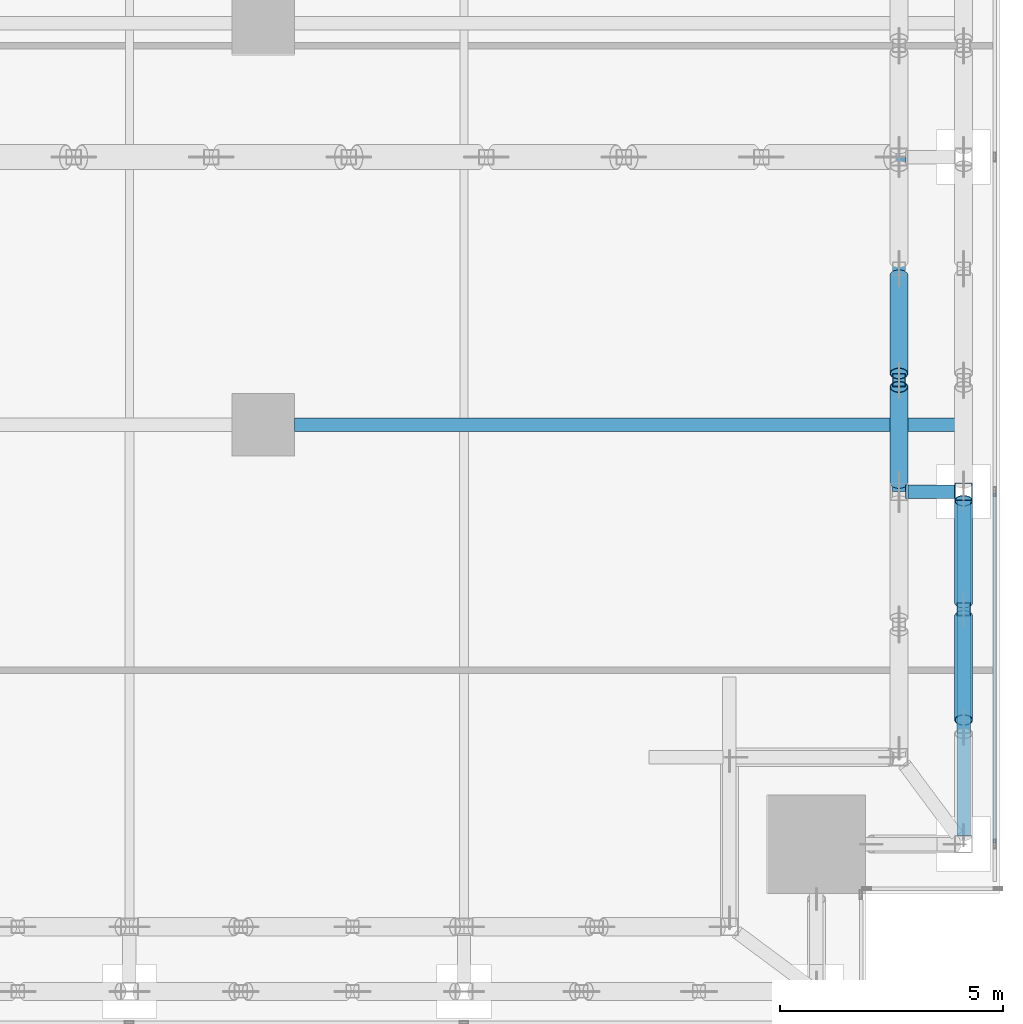
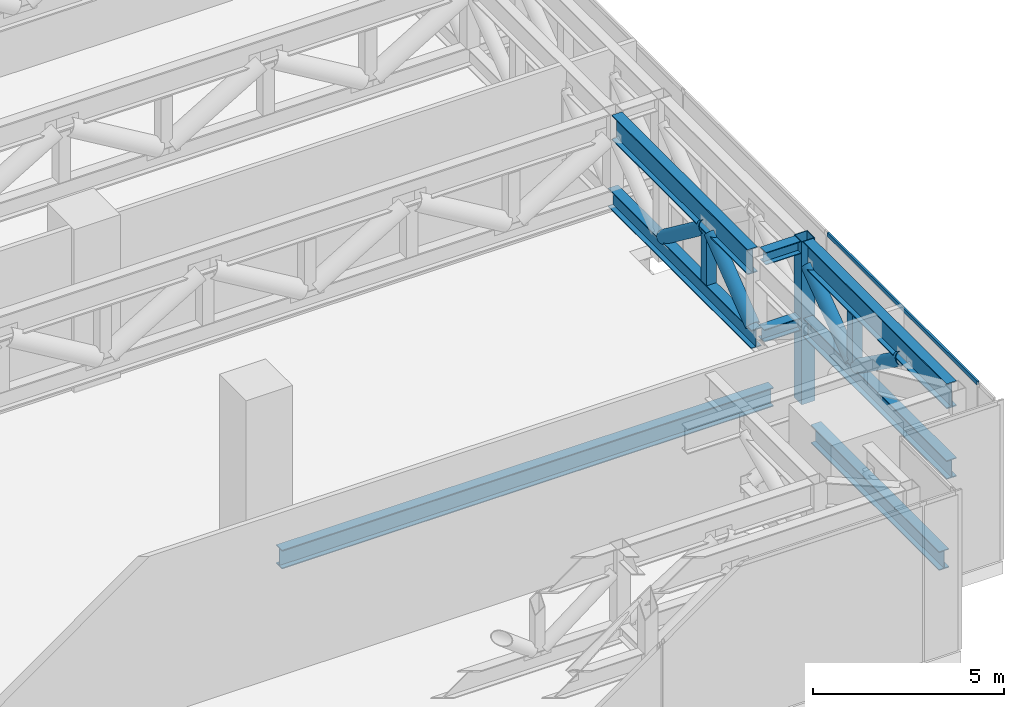
# One storey, part 11 of 39: 12 members, 4 beams, 1 element without a shape of its own.
"""IFC4 building model written with IfcOpenShell, lengths in metres."""

from ifc_helpers import new_model, si_unit, direction, frame, origin, origin_2d, place, context, subcontext, project, spatial, hollow_rectangle, hollow_circle, i_section, extrude, source, transform, mapped, material, material_profile, profile_set, type_object, element, aggregate, save


model = new_model("IFC4")

# Units and contexts
model_context = context("Model", 3, precision=1e-05, world=origin(), true_north=direction((0.0, 1.0)))
body_context = subcontext(model_context, "Body", "Model", "MODEL_VIEW")
ifc_project = project(units=[si_unit("LENGTHUNIT", "METRE"), si_unit("AREAUNIT", "SQUARE_METRE"), si_unit("VOLUMEUNIT", "CUBIC_METRE"), si_unit("PLANEANGLEUNIT", "RADIAN"), si_unit("MASSUNIT", "GRAM", prefix="KILO")], contexts=[model_context])

# Site, building, storey
site_placement = place(None, origin())
site = spatial("IfcSite", under=ifc_project, at=site_placement, CompositionType="ELEMENT")
building_placement = place(site_placement, origin())
building = spatial("IfcBuilding", under=site, at=building_placement, Name="Khomas Fold Tower", CompositionType="ELEMENT")
storey_placement = place(building_placement, frame((0.0, 0.0, 96.0)))
storey = spatial("IfcBuildingStorey", under=building, at=storey_placement, Name="L20", CompositionType="ELEMENT", Elevation=96.0)

# Beams
ifc_material_1 = material(Name="Steel S355", Category="steel")
ifc_material_profile_1 = material_profile(ifc_material_1, i_section(OverallWidth=0.300048828125, OverallDepth=0.60009765625, WebThickness=0.015380859375, FlangeThickness=0.030029296875, at=origin_2d()), Name="HE 600 B")
ifc_profile_set_1 = profile_set([ifc_material_profile_1], Name="Steel S355")
beam_type_1 = type_object("IfcBeamType", Name="HE 600 B spandrel SB1", PredefinedType="SPANDREL", material=ifc_profile_set_1)
shared_shape_1 = source(origin(), body_context, "Body", "SweptSolid", [
    extrude(i_section(OverallWidth=0.300048828125, OverallDepth=0.60009765625, WebThickness=0.015380859375, FlangeThickness=0.030029296875, at=origin_2d()), origin(), (0.0, 0.0, 1.0), 6.699951171875),
])
beam_1_placement = place(storey_placement, frame((53.199951171875, 4.699951171875, -0.699951171875), z_axis=(0.0, 1.0, 0.0), x_axis=(-1.0, 0.0, 0.0)))
element("IfcBeam", 1, at=beam_1_placement, inside=storey, type_object=beam_type_1, Name="SB1", PredefinedType="SPANDREL", context=body_context, shape_type="MappedRepresentation", body=[
    mapped(shared_shape_1, transform((0.0, 0.0, 0.0))),
])
ifc_material_2 = material(Name="Steel S355", Category="steel")
ifc_material_profile_2 = material_profile(ifc_material_2, i_section(OverallWidth=0.300048828125, OverallDepth=0.60009765625, WebThickness=0.015380859375, FlangeThickness=0.030029296875, at=origin_2d()), Name="HE 600 B")
ifc_profile_set_2 = profile_set([ifc_material_profile_2], Name="Steel S355")
beam_type_2 = type_object("IfcBeamType", Name="HE 600 B beam GB5", PredefinedType="BEAM", material=ifc_profile_set_2)
shared_shape_2 = source(origin(), body_context, "Body", "SweptSolid", [
    extrude(i_section(OverallWidth=0.300048828125, OverallDepth=0.60009765625, WebThickness=0.015380859375, FlangeThickness=0.030029296875, at=origin_2d()), origin(), (0.0, 0.0, 1.0), 14.85009765625),
])
beam_2_placement = place(storey_placement, frame((38.199951171875, 13.5, -0.699951171875), z_axis=(1.0, 0.0, 0.0), x_axis=(0.0, 1.0, 0.0)))
element("IfcBeam", 2, at=beam_2_placement, inside=storey, type_object=beam_type_2, Name="GB5", PredefinedType="BEAM", context=body_context, shape_type="MappedRepresentation", body=[
    mapped(shared_shape_2, transform((0.0, 0.0, 0.0))),
])

# Members
ifc_material_3 = material(Name="Steel S460M", Category="steel")
ifc_material_profile_3 = material_profile(ifc_material_3, i_section(OverallWidth=0.300048828125, OverallDepth=0.800048828125, WebThickness=0.017578125, FlangeThickness=0.032958984375, at=origin_2d()), Name="HE 800 B")
ifc_profile_set_3 = profile_set([ifc_material_profile_3], Name="Steel S460M")
member_type_1 = type_object("IfcMemberType", Name="BELT TRUSS 1 TOP CHORD HE 800 B", PredefinedType="CHORD", material=ifc_profile_set_3)
shared_shape_3 = source(origin(), body_context, "Body", "SweptSolid", [
    extrude(i_section(OverallWidth=0.300048828125, OverallDepth=0.800048828125, WebThickness=0.017578125, FlangeThickness=0.032958984375, at=origin_2d()), origin(), (0.0, 0.0, 1.0), 7.5),
])
member_1_placement = place(storey_placement, frame((53.199951171875, 4.300048828125, 4.800048828125), z_axis=(0.0, 1.0, 0.0), x_axis=(-1.0, 0.0, 0.0)))
element("IfcMember", 3, at=member_1_placement, inside=storey, type_object=member_type_1, Name="BT1-CT", PredefinedType="CHORD", context=body_context, shape_type="MappedRepresentation", body=[
    mapped(shared_shape_3, transform((0.0, 0.0, 0.0))),
])
ifc_material_4 = material(Name="Steel S355", Category="steel")
ifc_material_profile_4 = material_profile(ifc_material_4, i_section(OverallWidth=0.300048828125, OverallDepth=0.60009765625, WebThickness=0.015380859375, FlangeThickness=0.030029296875, at=origin_2d()), Name="HE 600 B")
ifc_profile_set_4 = profile_set([ifc_material_profile_4], Name="Steel S355")
member_type_2 = type_object("IfcMemberType", Name="BELT TRUSS 1 BOTTOM CHORD HE 600 B", PredefinedType="CHORD", material=ifc_profile_set_4)
shared_shape_4 = source(origin(), body_context, "Body", "SweptSolid", [
    extrude(i_section(OverallWidth=0.300048828125, OverallDepth=0.60009765625, WebThickness=0.015380859375, FlangeThickness=0.030029296875, at=origin_2d()), origin(), (0.0, 0.0, 1.0), 7.5),
])
for number, where, z_axis, x_axis, name in (
    (4, (53.199951171875, 4.300048828125, 2.449951171875), (0.0, 1.0, 0.0), (-1.0, 0.0, 0.0), "BT1-CB"),
    (5, (51.75, 12.0, 2.449951171875), (0.0, 1.0, 0.0), (-1.0, 0.0, 0.0), "BT1-CB"),
):
    element("IfcMember", number, at=place(storey_placement, frame(where, z_axis=z_axis, x_axis=x_axis)), inside=storey, type_object=member_type_2, Name=name, PredefinedType="CHORD", context=body_context, shape_type="MappedRepresentation", body=[
        mapped(shared_shape_4, transform((0.0, 0.0, 0.0))),
    ])
ifc_material_5 = material(Name="Steel S355", Category="steel")
ifc_material_profile_5 = material_profile(ifc_material_5, hollow_circle(Radius=0.203125, WallThickness=0.01611328125, at=origin_2d()), Name="CHS 406.4x16")
ifc_profile_set_5 = profile_set([ifc_material_profile_5], Name="Steel S355")
member_type_3 = type_object("IfcMemberType", Name="BELT TRUSS 1 DIAGONAL CHS 406.4x16", PredefinedType="BRACE", material=ifc_profile_set_5)
shared_shape_5 = source(origin(), body_context, "Body", "SweptSolid", [
    extrude(hollow_circle(Radius=0.203125, WallThickness=0.01611328125, at=origin_2d()), origin(), (0.0, 0.0, 1.0), 2.863525390625),
])
member_2_placement = place(storey_placement, frame((53.199951171875, 6.88330078125, 4.405029296875), z_axis=(0.0, 0.814838084694, -0.579688619633), x_axis=(-1.0, 0.0, 0.0)))
element("IfcMember", 6, at=member_2_placement, inside=storey, type_object=member_type_3, Name="BT1-D", PredefinedType="BRACE", context=body_context, shape_type="MappedRepresentation", body=[
    mapped(shared_shape_5, transform((0.0, 0.0, 0.0))),
])
shared_shape_6 = source(origin(), body_context, "Body", "SweptSolid", [
    extrude(hollow_circle(Radius=0.203125, WallThickness=0.01611328125, at=origin_2d()), origin(), (0.0, 0.0, 1.0), 2.822998046875),
])
member_3_placement = place(storey_placement, frame((53.199951171875, 9.5166015625, 2.7451171875), z_axis=(0.0, 0.808866956084, 0.587991706876), x_axis=(-1.0, 0.0, 0.0)))
element("IfcMember", 7, at=member_3_placement, inside=storey, type_object=member_type_3, Name="BT1-D", PredefinedType="BRACE", context=body_context, shape_type="MappedRepresentation", body=[
    mapped(shared_shape_6, transform((0.0, 0.0, 0.0))),
])
ifc_material_6 = material(Name="Steel S355", Category="steel")
ifc_material_profile_6 = material_profile(ifc_material_6, hollow_rectangle(XDim=0.300048828125, YDim=0.300048828125, WallThickness=0.01611328125, at=origin_2d()), Name="SHS 300x300x16")
ifc_profile_set_6 = profile_set([ifc_material_profile_6], Name="Steel S355")
member_type_4 = type_object("IfcMemberType", Name="BELT TRUSS 1 MID POST SHS 300x300x16", PredefinedType="POST", material=ifc_profile_set_6)
shared_shape_7 = source(origin(), body_context, "Body", "SweptSolid", [
    extrude(hollow_rectangle(XDim=0.300048828125, YDim=0.300048828125, WallThickness=0.01611328125, at=origin_2d()), origin(), (0.0, 0.0, 1.0), 1.64990234375),
])
for number, where, z_axis, x_axis, name in (
    (8, (53.199951171875, 9.36669921875, 2.75), (0.0, 0.0, 1.0), (1.0, 0.0, 0.0), "BT1-M"),
    (9, (51.75, 14.5, 2.75), (0.0, 0.0, 1.0), (1.0, 0.0, 0.0), "BT1-M"),
):
    element("IfcMember", number, at=place(storey_placement, frame(where, z_axis=z_axis, x_axis=x_axis)), inside=storey, type_object=member_type_4, Name=name, PredefinedType="POST", context=body_context, shape_type="MappedRepresentation", body=[
        mapped(shared_shape_7, transform((0.0, 0.0, 0.0))),
    ])
shared_shape_8 = source(origin(), body_context, "Body", "SweptSolid", [
    extrude(i_section(OverallWidth=0.300048828125, OverallDepth=0.800048828125, WebThickness=0.017578125, FlangeThickness=0.032958984375, at=origin_2d()), origin(), (0.0, 0.0, 1.0), 7.10009765625),
])
member_4_placement = place(storey_placement, frame((51.75, 12.199951171875, 4.800048828125), z_axis=(0.0, 1.0, 0.0), x_axis=(-1.0, 0.0, 0.0)))
element("IfcMember", 10, at=member_4_placement, inside=storey, type_object=member_type_1, Name="BT1-CT", PredefinedType="CHORD", context=body_context, shape_type="MappedRepresentation", body=[
    mapped(shared_shape_8, transform((0.0, 0.0, 0.0))),
])
shared_shape_9 = source(origin(), body_context, "Body", "SweptSolid", [
    extrude(hollow_circle(Radius=0.203125, WallThickness=0.01611328125, at=origin_2d()), origin(), (0.0, 0.0, 1.0), 2.71630859375),
])
member_5_placement = place(storey_placement, frame((51.75, 12.199951171875, 2.7451171875), z_axis=(0.0, 0.791563625226, 0.611086759159), x_axis=(-1.0, 0.0, 0.0)))
element("IfcMember", 11, at=member_5_placement, inside=storey, type_object=member_type_3, Name="BT1-D", PredefinedType="BRACE", context=body_context, shape_type="MappedRepresentation", body=[
    mapped(shared_shape_9, transform((0.0, 0.0, 0.0))),
])
shared_shape_10 = source(origin(), body_context, "Body", "SweptSolid", [
    extrude(hollow_circle(Radius=0.203125, WallThickness=0.01611328125, at=origin_2d()), origin(), (0.0, 0.0, 1.0), 2.756103515625),
])
member_6_placement = place(storey_placement, frame((51.75, 14.64990234375, 4.405029296875), z_axis=(0.0, 0.798296022167, -0.602265274602), x_axis=(-1.0, 0.0, 0.0)))
element("IfcMember", 12, at=member_6_placement, inside=storey, type_object=member_type_3, Name="BT1-D", PredefinedType="BRACE", context=body_context, shape_type="MappedRepresentation", body=[
    mapped(shared_shape_10, transform((0.0, 0.0, 0.0))),
])
ifc_material_7 = material(Name="Steel S460M", Category="steel")
ifc_material_profile_7 = material_profile(ifc_material_7, hollow_rectangle(XDim=0.39990234375, YDim=0.39990234375, WallThickness=0.02001953125, at=origin_2d()), Name="SHS 400x400x20")
ifc_profile_set_7 = profile_set([ifc_material_profile_7], Name="Steel S460M")
member_type_5 = type_object("IfcMemberType", Name="BELT TRUSS 1 COLUMN POST LONG SHS 400x400x20", PredefinedType="POST", material=ifc_profile_set_7)
shared_shape_11 = source(origin(), body_context, "Body", "SweptSolid", [
    extrude(hollow_rectangle(XDim=0.39990234375, YDim=0.39990234375, WallThickness=0.02001953125, at=origin_2d()), origin(), (0.0, 0.0, 1.0), 5.199951171875),
])
member_7_placement = place(storey_placement, frame((53.199951171875, 12.0, 0.0), z_axis=(0.0, 0.0, 1.0), x_axis=(1.0, 0.0, 0.0)))
element("IfcMember", 13, at=member_7_placement, inside=storey, type_object=member_type_5, Name="BT1-PL", PredefinedType="POST", context=body_context, shape_type="MappedRepresentation", body=[
    mapped(shared_shape_11, transform((0.0, 0.0, 0.0))),
])

# Beams
ifc_material_8 = material(Name="Steel S355", Category="steel")
ifc_material_profile_8 = material_profile(ifc_material_8, i_section(OverallWidth=0.300048828125, OverallDepth=0.39990234375, WebThickness=0.013427734375, FlangeThickness=0.02392578125, at=origin_2d()), Name="HE 400 B")
ifc_profile_set_8 = profile_set([ifc_material_profile_8], Name="Steel S355")
beam_type_3 = type_object("IfcBeamType", Name="BELT TRUSS 1 TOP STRUT HE 400 B", PredefinedType="BEAM", material=ifc_profile_set_8)
shared_shape_12 = source(origin(), body_context, "Body", "SweptSolid", [
    extrude(i_section(OverallWidth=0.300048828125, OverallDepth=0.39990234375, WebThickness=0.013427734375, FlangeThickness=0.02392578125, at=origin_2d()), origin(), (0.0, 0.0, 1.0), 1.050048828125),
])
beam_3_placement = place(storey_placement, frame((51.949951171875, 12.0, 5.0), z_axis=(1.0, 0.0, 0.0), x_axis=(0.0, 1.0, 0.0)))
element("IfcBeam", 14, at=beam_3_placement, inside=storey, type_object=beam_type_3, Name="BT1-ST", PredefinedType="BEAM", context=body_context, shape_type="MappedRepresentation", body=[
    mapped(shared_shape_12, transform((0.0, 0.0, 0.0))),
])
ifc_material_9 = material(Name="Steel S355", Category="steel")
ifc_material_profile_9 = material_profile(ifc_material_9, i_section(OverallWidth=0.300048828125, OverallDepth=0.39990234375, WebThickness=0.013427734375, FlangeThickness=0.02392578125, at=origin_2d()), Name="HE 400 B")
ifc_profile_set_9 = profile_set([ifc_material_profile_9], Name="Steel S355")
beam_type_4 = type_object("IfcBeamType", Name="BELT TRUSS 1 BOTTOM STRUT HE 400 B", PredefinedType="BEAM", material=ifc_profile_set_9)
shared_shape_13 = source(origin(), body_context, "Body", "SweptSolid", [
    extrude(i_section(OverallWidth=0.300048828125, OverallDepth=0.39990234375, WebThickness=0.013427734375, FlangeThickness=0.02392578125, at=origin_2d()), origin(), (0.0, 0.0, 1.0), 1.10009765625),
])
beam_4_placement = place(storey_placement, frame((51.89990234375, 12.0, 2.550048828125), z_axis=(1.0, 0.0, 0.0), x_axis=(0.0, 1.0, 0.0)))
element("IfcBeam", 15, at=beam_4_placement, inside=storey, type_object=beam_type_4, Name="BT1-SB", PredefinedType="BEAM", context=body_context, shape_type="MappedRepresentation", body=[
    mapped(shared_shape_13, transform((0.0, 0.0, 0.0))),
])

# Curtain wall, member
ifc_material_10 = material(Name="Aluminium framed double glazing", Category="aluminium")
curtain_wall_type = type_object("IfcCurtainWallType", Name="SK-Plant louvre wall CW4", PredefinedType="NOTDEFINED", material=ifc_material_10)
curtain_wall_placement = place(storey_placement, origin())
curtain_wall = element("IfcCurtainWall", 16, at=curtain_wall_placement, inside=storey, type_object=curtain_wall_type, Name="CW4 run L20 03-0", PredefinedType="NOTDEFINED")
ifc_material_11 = material(Name="Aluminium", Category="aluminium")
ifc_material_profile_10 = material_profile(ifc_material_11, hollow_rectangle(XDim=0.06005859375, YDim=0.1201171875, WallThickness=0.00390625, at=origin_2d()), Name="SK-Plant louvre wall transom CW4-T")
ifc_profile_set_10 = profile_set([ifc_material_profile_10], Name="Aluminium")
member_type_6 = type_object("IfcMemberType", Name="SK-Plant louvre wall transom CW4-T", PredefinedType="USERDEFINED", material=ifc_profile_set_10)
shared_shape_14 = source(origin(), body_context, "Body", "SweptSolid", [
    extrude(hollow_rectangle(XDim=0.06005859375, YDim=0.1201171875, WallThickness=0.00390625, at=origin_2d()), origin(), (0.0, 0.0, 1.0), 7.840087890625),
])
member_8_placement = place(storey_placement, frame((53.89990234375, 4.1298828125, 5.0400390625), z_axis=(0.0, 1.0, 0.0), x_axis=(-1.0, 0.0, 0.0)))
member_8 = element("IfcMember", 17, at=member_8_placement, type_object=member_type_6, Name="CW4 transom 2", ObjectType="TRANSOM", PredefinedType="USERDEFINED", context=body_context, shape_type="MappedRepresentation", body=[
    mapped(shared_shape_14, transform((0.0, 0.0, 0.0))),
])
aggregate(curtain_wall, [member_8])

save(model, "model.ifc")
